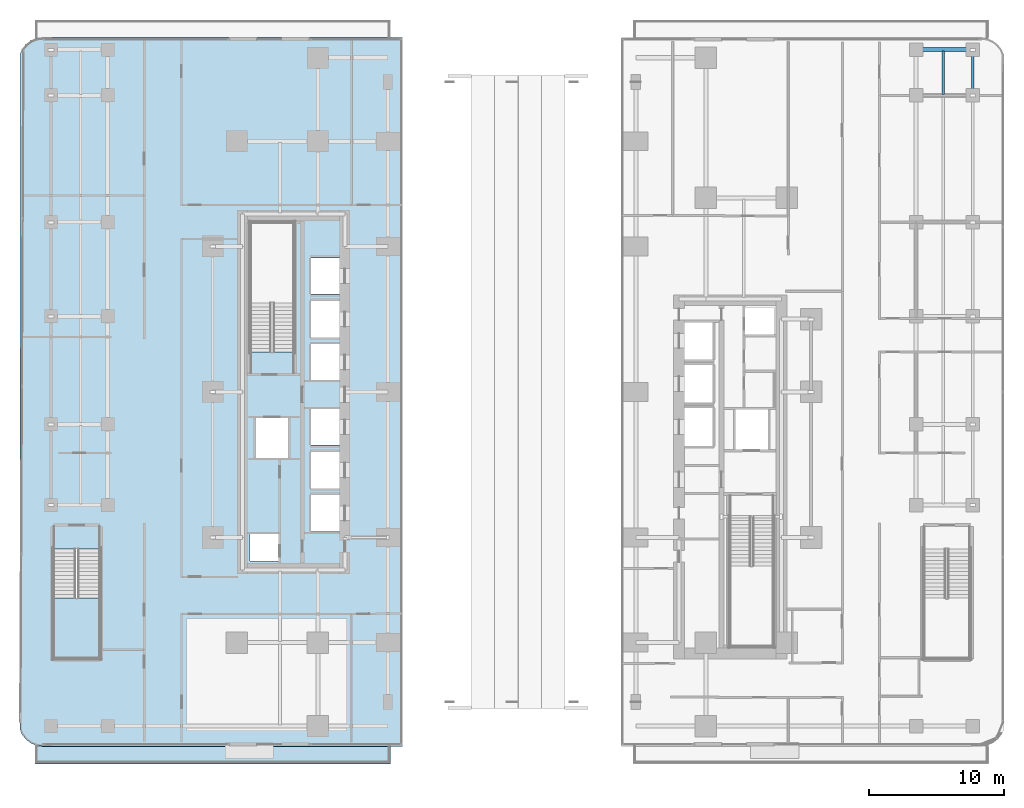
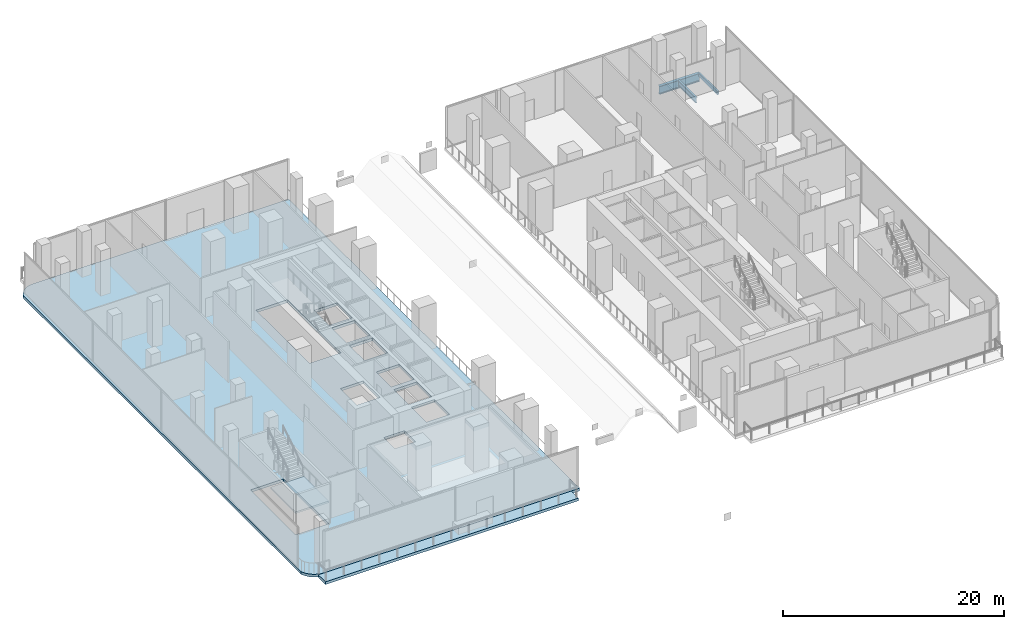
# One storey, part 3 of 32: 3 beams, 3 slabs, 1 element without a shape of its own.
"""IFC4 building model written with IfcOpenShell, lengths in metres."""

from ifc_helpers import new_model, si_unit, direction, frame, origin, origin_2d, place, context, subcontext, project, spatial, polyline, hollow_rectangle, i_section, outline, extrude, material, layer, layer_set, material_profile, profile_set, type_object, element, aggregate, save


model = new_model("IFC4")

# Units and contexts
model_context = context("Model", 3, precision=1e-05, world=origin(), true_north=direction((0.0, 1.0)))
body_context = subcontext(model_context, "Body", "Model", "MODEL_VIEW")
ifc_project = project(units=[si_unit("LENGTHUNIT", "METRE"), si_unit("AREAUNIT", "SQUARE_METRE"), si_unit("VOLUMEUNIT", "CUBIC_METRE"), si_unit("PLANEANGLEUNIT", "RADIAN"), si_unit("MASSUNIT", "GRAM", prefix="KILO")], contexts=[model_context])

# Site, building, storey
site_placement = place(None, origin())
site = spatial("IfcSite", under=ifc_project, at=site_placement, CompositionType="ELEMENT")
building_placement = place(site_placement, origin())
building = spatial("IfcBuilding", under=site, at=building_placement, Name="Khairoan Windgate Tower", CompositionType="ELEMENT")
storey_placement = place(building_placement, frame((0.0, 0.0, 16.0)))
storey = spatial("IfcBuildingStorey", under=building, at=storey_placement, Name="L04", CompositionType="ELEMENT", Elevation=16.0)

# Beams
ifc_material_1 = material(Name="Steel S355", Category="steel")
ifc_material_profile_1 = material_profile(ifc_material_1, i_section(OverallWidth=0.300048828125, OverallDepth=0.89990234375, WebThickness=0.01611328125, FlangeThickness=0.028076171875, FilletRadius=0.028076171875, at=origin_2d()))
ifc_profile_set_1 = profile_set([ifc_material_profile_1], Name="Steel S355")
beam_type_1 = type_object("IfcBeamType", Name="Beam B-G1 H900x300x16x28", PredefinedType="BEAM", material=ifc_profile_set_1)
beam_1_placement = place(storey_placement, frame((30.0, 25.39990234375, -0.75), z_axis=(1.0, 0.0, 0.0), x_axis=(0.0, 1.0, 0.0)))
element("IfcBeam", 1, at=beam_1_placement, inside=storey, type_object=beam_type_1, Name="L04 E-W Primary Girder 42", PredefinedType="BEAM", context=body_context, shape_type="SweptSolid", body=[
    extrude(i_section(OverallWidth=0.300048828125, OverallDepth=0.89990234375, WebThickness=0.01611328125, FlangeThickness=0.028076171875, FilletRadius=0.028076171875, at=origin_2d()), origin(), (0.0, 0.0, 1.0), 4.199951171875),
])
ifc_material_2 = material(Name="Steel S355", Category="steel")
ifc_material_profile_2 = material_profile(ifc_material_2, i_section(OverallWidth=0.199951171875, OverallDepth=0.60009765625, WebThickness=0.010986328125, FlangeThickness=0.01708984375, FilletRadius=0.02197265625, at=origin_2d()))
ifc_profile_set_2 = profile_set([ifc_material_profile_2], Name="Steel S355")
beam_type_2 = type_object("IfcBeamType", Name="Beam J-S1 H600x200x11x17", PredefinedType="JOIST", material=ifc_profile_set_2)
beam_2_placement = place(storey_placement, frame((32.0, 22.090087890625, -0.60009765625), z_axis=(0.0, 1.0, 0.0), x_axis=(-1.0, 0.0, 0.0)))
element("IfcBeam", 2, at=beam_2_placement, inside=storey, type_object=beam_type_2, Name="L04 Secondary Floor Joist 14", PredefinedType="JOIST", context=body_context, shape_type="SweptSolid", body=[
    extrude(i_section(OverallWidth=0.199951171875, OverallDepth=0.60009765625, WebThickness=0.010986328125, FlangeThickness=0.01708984375, FilletRadius=0.02197265625, at=origin_2d()), origin(), (0.0, 0.0, 1.0), 3.219970703125),
])
ifc_material_3 = material(Name="Steel S355", Category="steel")
ifc_material_profile_3 = material_profile(ifc_material_3, hollow_rectangle(XDim=0.199951171875, YDim=0.39990234375, WallThickness=0.013916015625, InnerFilletRadius=0.013916015625, OuterFilletRadius=0.028076171875, at=origin_2d()))
ifc_profile_set_3 = profile_set([ifc_material_profile_3], Name="Steel S355")
beam_type_3 = type_object("IfcBeamType", Name="Beam SP-B1 RHS400x200x14", PredefinedType="SPANDREL", material=ifc_profile_set_3)
beam_3_placement = place(storey_placement, frame((34.199951171875, 22.0, -0.5), z_axis=(0.0, 1.0, 0.0), x_axis=(-1.0, 0.0, 0.0)))
element("IfcBeam", 3, at=beam_3_placement, inside=storey, type_object=beam_type_3, Name="L04 Spandrel Beam 95", PredefinedType="SPANDREL", context=body_context, shape_type="SweptSolid", body=[
    extrude(hollow_rectangle(XDim=0.199951171875, YDim=0.39990234375, WallThickness=0.013916015625, InnerFilletRadius=0.013916015625, OuterFilletRadius=0.028076171875, at=origin_2d()), origin(), (0.0, 0.0, 1.0), 3.39990234375),
])

# Slabs
ifc_material_4 = material(Name="Concrete C40/50", Category="concrete")
ifc_layer_1 = layer(ifc_material_4, 0.300048828125, Name="Concrete C40/50")
ifc_layer_set_1 = layer_set([ifc_layer_1], Name="Concrete C40/50")
slab_type_1 = type_object("IfcSlabType", Name="Podium Floor Slab FS1 300mm", PredefinedType="FLOOR", material=ifc_layer_set_1)
slab_1_placement = place(storey_placement, frame((0.0, 0.0, -0.300048828125)))
element("IfcSlab", 4, at=slab_1_placement, inside=storey, type_object=slab_type_1, Name="L04 W Wing Structural Floor Slab", PredefinedType="FLOOR", context=body_context, shape_type="SweptSolid", body=[
    extrude(outline(polyline([(-36.35888671875, 25.39990234375), (-36.07275390625, 25.772705078125), (-35.699951171875, 26.058837890625), (-35.265869140625, 26.23876953125), (-34.800048828125, 26.300048828125), (-8.1201171875, 26.300048828125), (-8.1201171875, -26.300048828125), (-34.800048828125, -26.300048828125), (-35.265869140625, -26.23876953125), (-35.699951171875, -26.058837890625), (-36.07275390625, -25.772705078125), (-36.35888671875, -25.39990234375), (-36.5, -25.059326171875), (-36.5, 25.059326171875), (-36.35888671875, 25.39990234375)]), holes=[polyline([(-16.14990234375, 2.9599609375), (-16.14990234375, 12.60009765625), (-19.419921875, 12.60009765625), (-19.419921875, 2.9599609375), (-16.14990234375, 2.9599609375)]), polyline([(-34.02001953125, -11.659912109375), (-34.02001953125, -19.800048828125), (-30.550048828125, -19.800048828125), (-30.550048828125, -11.659912109375), (-34.02001953125, -11.659912109375)]), polyline([(-14.89990234375, 7.25), (-12.5, 7.25), (-12.5, 9.949951171875), (-14.89990234375, 9.949951171875), (-14.89990234375, 7.25)]), polyline([(-14.89990234375, 4.050048828125), (-12.5, 4.050048828125), (-12.5, 6.75), (-14.89990234375, 6.75), (-14.89990234375, 4.050048828125)]), polyline([(-14.89990234375, 0.85009765625), (-12.5, 0.85009765625), (-12.5, 3.550048828125), (-14.89990234375, 3.550048828125), (-14.89990234375, 0.85009765625)]), polyline([(-14.89990234375, -3.949951171875), (-12.5, -3.949951171875), (-12.5, -1.25), (-14.89990234375, -1.25), (-14.89990234375, -3.949951171875)]), polyline([(-14.89990234375, -7.14990234375), (-12.5, -7.14990234375), (-12.5, -4.449951171875), (-14.89990234375, -4.449951171875), (-14.89990234375, -7.14990234375)]), polyline([(-14.89990234375, -10.35009765625), (-12.5, -10.35009765625), (-12.5, -7.64990234375), (-14.89990234375, -7.64990234375), (-14.89990234375, -10.35009765625)]), polyline([(-19.0, -4.89990234375), (-16.60009765625, -4.89990234375), (-16.60009765625, -1.89990234375), (-19.0, -1.89990234375), (-19.0, -4.89990234375)]), polyline([(-19.449951171875, -12.550048828125), (-17.31005859375, -12.550048828125), (-17.31005859375, -10.550048828125), (-19.449951171875, -10.550048828125), (-19.449951171875, -12.550048828125)])]), origin(), (0.0, 0.0, 1.0), 0.300048828125),
])
ifc_material_5 = material(Name="Concrete C40/50", Category="concrete")
ifc_layer_2 = layer(ifc_material_5, 0.300048828125, Name="Concrete C40/50")
ifc_layer_set_2 = layer_set([ifc_layer_2], Name="Concrete C40/50")
slab_type_2 = type_object("IfcSlabType", Name="Podium Terrace Roof Slab RS1 300mm", PredefinedType="ROOF", material=ifc_layer_set_2)
slab_2_placement = place(storey_placement, frame((0.0, 0.0, -0.300048828125)))
element("IfcSlab", 5, at=slab_2_placement, inside=storey, type_object=slab_type_2, Name="South-West Boulevard Sky Terrace", PredefinedType="ROOF", context=body_context, shape_type="SweptSolid", body=[
    extrude(outline(polyline([(-35.39990234375, -27.60009765625), (-9.0, -27.60009765625), (-9.0, -26.300048828125), (-35.39990234375, -26.300048828125), (-35.39990234375, -27.60009765625)])), origin(), (0.0, 0.0, 1.0), 0.300048828125),
])

# Stair, slab
ifc_material_6 = material(Name="Concrete C40/50", Category="concrete")
stair_type = type_object("IfcStairType", Name="Podium Exit Dog-Leg Stair ST-T2 1660mm", PredefinedType="HALF_TURN_STAIR", material=ifc_material_6)
stair_placement = place(storey_placement, origin())
stair = element("IfcStair", 6, at=stair_placement, inside=storey, type_object=stair_type, Name="L04 Stair ST4", PredefinedType="HALF_TURN_STAIR")
ifc_material_7 = material(Name="Concrete C40/50", Category="concrete")
ifc_layer_3 = layer(ifc_material_7, 0.199951171875, Name="Concrete C40/50")
ifc_layer_set_3 = layer_set([ifc_layer_3], Name="Concrete C40/50")
slab_type_3 = type_object("IfcSlabType", Name="Reinforced Concrete Stair Landing Slab STL-200", PredefinedType="LANDING", material=ifc_layer_set_3)
slab_3_placement = place(storey_placement, frame((0.0, 0.0, 2.300048828125)))
slab_3 = element("IfcSlab", 7, at=slab_3_placement, type_object=slab_type_3, Name="ST4 landing 1", PredefinedType="LANDING", context=body_context, shape_type="SweptSolid", body=[
    extrude(outline(polyline([(-34.02001953125, -15.300048828125), (-34.02001953125, -19.800048828125), (-30.550048828125, -19.800048828125), (-30.550048828125, -15.300048828125), (-34.02001953125, -15.300048828125)])), origin(), (0.0, 0.0, 1.0), 0.199951171875),
])
aggregate(stair, [slab_3])

save(model, "model.ifc")
